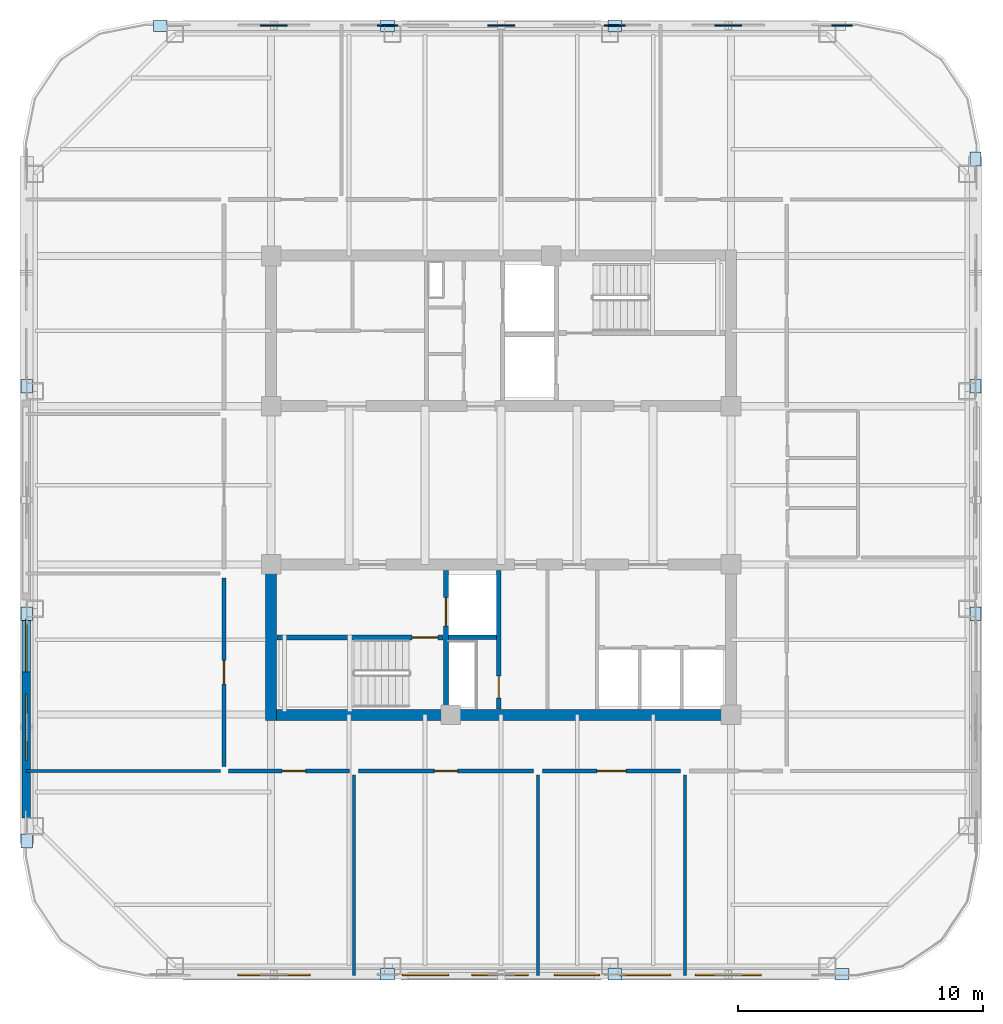
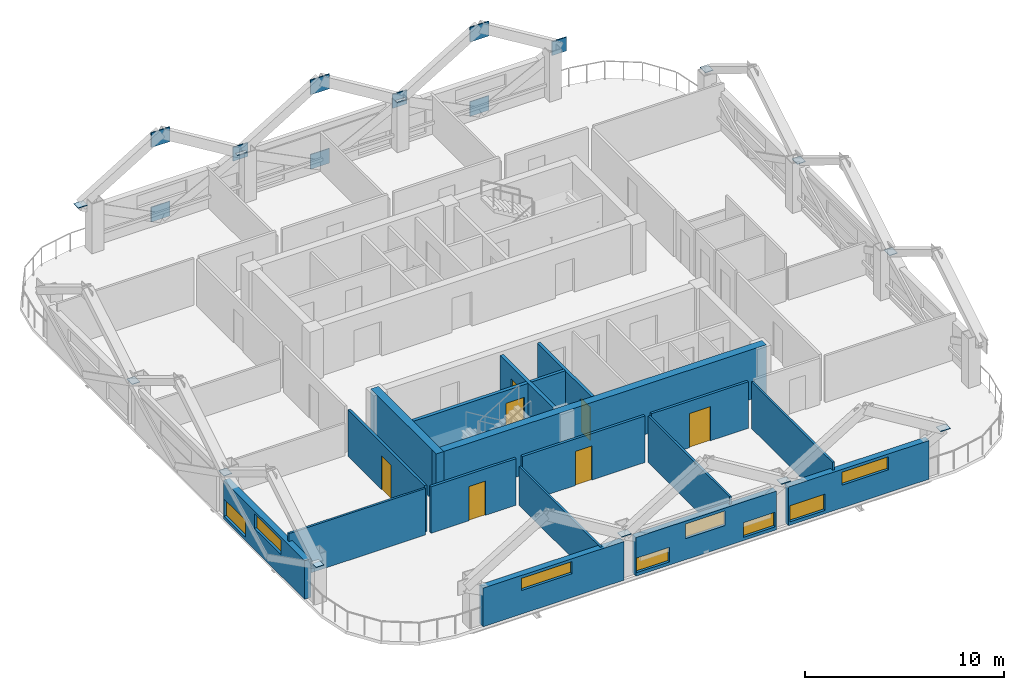
# One storey, part 3 of 9: 21 plates, 18 walls, 8 windows, 7 doors, 15 openings.
"""IFC4 building model written with IfcOpenShell, lengths in metres."""

from ifc_helpers import new_model, si_unit, direction, frame, frame_2d, origin, origin_2d, place, context, subcontext, project, spatial, rectangle, extrude, material, layer, layer_set, type_object, element, fill, save


model = new_model("IFC4")

# Units and contexts
model_context = context("Model", 3, precision=1e-05, world=origin(), true_north=direction((0.0, 1.0)))
body_context = subcontext(model_context, "Body", "Model", "MODEL_VIEW")
ifc_project = project(units=[si_unit("LENGTHUNIT", "METRE"), si_unit("AREAUNIT", "SQUARE_METRE"), si_unit("VOLUMEUNIT", "CUBIC_METRE"), si_unit("PLANEANGLEUNIT", "RADIAN"), si_unit("MASSUNIT", "GRAM", prefix="KILO")], contexts=[model_context])

# Site, building, storey
site_placement = place(None, origin())
site = spatial("IfcSite", under=ifc_project, at=site_placement, CompositionType="ELEMENT")
building_placement = place(site_placement, origin())
building = spatial("IfcBuilding", under=site, at=building_placement, Name="Qhalaya Broadcast Tower", CompositionType="ELEMENT")
storey_placement = place(building_placement, frame((0.0, 0.0, 217.800048828125)))
storey = spatial("IfcBuildingStorey", under=building, at=storey_placement, Name="L64", CompositionType="ELEMENT", Elevation=217.800048828125)

# Plates
ifc_material_1 = material(Name="Structural Steel ASTM A572 Grade 50", Category="steel")
ifc_layer_1 = layer(ifc_material_1, 0.054931640625, Name="Structural Steel ASTM A572 Grade 50")
ifc_layer_set_1 = layer_set([ifc_layer_1], Name="Structural Steel ASTM A572 Grade 50")
plate_type_1 = type_object("IfcPlateType", Name="Exoskeleton Diamond Node Gusset Plate NP-01", PredefinedType="USERDEFINED", material=ifc_layer_set_1)
for number, where, z_axis, x_axis, name in (
    (1, (9.2666015625, 19.340087890625, 0.2099609375), (0.0, 0.0, 1.0), (1.0, 0.0, 0.0), "Exoskeleton Diamond Node B5-N1-BOT"),
    (2, (9.2666015625, 19.340087890625, 4.780029296875), (0.0, 0.0, 1.0), (1.0, 0.0, 0.0), "Exoskeleton Diamond Node B5-N1-TOP"),
):
    element("IfcPlate", number, at=place(storey_placement, frame(where, z_axis=z_axis, x_axis=x_axis)), inside=storey, type_object=plate_type_1, Name=name, ObjectType="GUSSET_PLATE", PredefinedType="USERDEFINED", context=body_context, shape_type="SweptSolid", body=[
        extrude(rectangle(XDim=1.10009765625, YDim=0.054931640625, at=origin_2d()), origin(), (0.0, 0.0, 1.0), 0.89990234375),
    ])
plate_1_placement = place(storey_placement, frame((13.89990234375, 19.340087890625, 2.27978515625), z_axis=(0.0, 0.0, 1.0), x_axis=(1.0, 0.0, 0.0)))
element("IfcPlate", 3, at=plate_1_placement, inside=storey, type_object=plate_type_1, Name="Exoskeleton Diamond Node B5-N1-MDL", ObjectType="GUSSET_PLATE", PredefinedType="USERDEFINED", context=body_context, shape_type="SweptSolid", body=[
    extrude(rectangle(XDim=0.85009765625, YDim=0.054931640625, at=origin_2d()), origin(), (0.0, 0.0, 1.0), 0.85009765625),
])
for number, where, z_axis, x_axis, name in (
    (4, (0.0, 19.340087890625, 0.2099609375), (0.0, 0.0, 1.0), (1.0, 0.0, 0.0), "Exoskeleton Diamond Node B5-N2-BOT"),
    (5, (0.0, 19.340087890625, 4.780029296875), (0.0, 0.0, 1.0), (1.0, 0.0, 0.0), "Exoskeleton Diamond Node B5-N2-TOP"),
):
    element("IfcPlate", number, at=place(storey_placement, frame(where, z_axis=z_axis, x_axis=x_axis)), inside=storey, type_object=plate_type_1, Name=name, ObjectType="GUSSET_PLATE", PredefinedType="USERDEFINED", context=body_context, shape_type="SweptSolid", body=[
        extrude(rectangle(XDim=1.10009765625, YDim=0.054931640625, at=origin_2d()), origin(), (0.0, 0.0, 1.0), 0.89990234375),
    ])
plate_2_placement = place(storey_placement, frame((4.63330078125, 19.340087890625, 2.27978515625), z_axis=(0.0, 0.0, 1.0), x_axis=(1.0, 0.0, 0.0)))
element("IfcPlate", 6, at=plate_2_placement, inside=storey, type_object=plate_type_1, Name="Exoskeleton Diamond Node B5-N2-MDL", ObjectType="GUSSET_PLATE", PredefinedType="USERDEFINED", context=body_context, shape_type="SweptSolid", body=[
    extrude(rectangle(XDim=0.85009765625, YDim=0.054931640625, at=origin_2d()), origin(), (0.0, 0.0, 1.0), 0.85009765625),
])
for number, where, z_axis, x_axis, name in (
    (7, (-9.2666015625, 19.340087890625, 0.2099609375), (0.0, 0.0, 1.0), (1.0, 0.0, 0.0), "Exoskeleton Diamond Node B5-N3-BOT"),
    (8, (-9.2666015625, 19.340087890625, 4.780029296875), (0.0, 0.0, 1.0), (1.0, 0.0, 0.0), "Exoskeleton Diamond Node B5-N3-TOP"),
):
    element("IfcPlate", number, at=place(storey_placement, frame(where, z_axis=z_axis, x_axis=x_axis)), inside=storey, type_object=plate_type_1, Name=name, ObjectType="GUSSET_PLATE", PredefinedType="USERDEFINED", context=body_context, shape_type="SweptSolid", body=[
        extrude(rectangle(XDim=1.10009765625, YDim=0.054931640625, at=origin_2d()), origin(), (0.0, 0.0, 1.0), 0.89990234375),
    ])
plate_3_placement = place(storey_placement, frame((-4.63330078125, 19.340087890625, 2.27978515625), z_axis=(0.0, 0.0, 1.0), x_axis=(1.0, 0.0, 0.0)))
element("IfcPlate", 9, at=plate_3_placement, inside=storey, type_object=plate_type_1, Name="Exoskeleton Diamond Node B5-N3-MDL", ObjectType="GUSSET_PLATE", PredefinedType="USERDEFINED", context=body_context, shape_type="SweptSolid", body=[
    extrude(rectangle(XDim=0.85009765625, YDim=0.054931640625, at=origin_2d()), origin(), (0.0, 0.0, 1.0), 0.85009765625),
])
ifc_layer_2 = layer(ifc_material_1, 0.4599609375, Name="Structural Steel ASTM A572 Grade 50")
ifc_layer_set_2 = layer_set([ifc_layer_2], Name="Structural Steel ASTM A572 Grade 50")
plate_type_2 = type_object("IfcPlateType", Name="Hollow Box Member End Cap Plate CP-01", PredefinedType="USERDEFINED", material=ifc_layer_set_2)
for number, where, z_axis, x_axis, name in (
    (10, (-4.63330078125, -19.340087890625, 2.68896484375), (0.0, 0.0, 1.0), (1.0, 0.0, 0.0), "Exoskeleton Hollow End Cap B5-S1"),
    (11, (4.63330078125, -19.340087890625, 2.68896484375), (0.0, 0.0, 1.0), (1.0, 0.0, 0.0), "Exoskeleton Hollow End Cap B5-S2"),
    (12, (13.89990234375, -19.340087890625, 2.68896484375), (0.0, 0.0, 1.0), (1.0, 0.0, 0.0), "Exoskeleton Hollow End Cap B5-S3"),
    (13, (19.340087890625, -4.63330078125, 2.68896484375), (0.0, 0.0, 1.0), (0.0, 1.0, 0.0), "Exoskeleton Hollow End Cap B5-E1"),
    (14, (19.340087890625, 4.63330078125, 2.68896484375), (0.0, 0.0, 1.0), (0.0, 1.0, 0.0), "Exoskeleton Hollow End Cap B5-E2"),
    (15, (19.340087890625, 13.89990234375, 2.68896484375), (0.0, 0.0, 1.0), (0.0, 1.0, 0.0), "Exoskeleton Hollow End Cap B5-E3"),
    (16, (4.63330078125, 19.340087890625, 2.68896484375), (0.0, 0.0, 1.0), (1.0, 0.0, 0.0), "Exoskeleton Hollow End Cap B5-N1"),
    (17, (-4.63330078125, 19.340087890625, 2.68896484375), (0.0, 0.0, 1.0), (1.0, 0.0, 0.0), "Exoskeleton Hollow End Cap B5-N2"),
    (18, (-13.89990234375, 19.340087890625, 2.68896484375), (0.0, 0.0, 1.0), (1.0, 0.0, 0.0), "Exoskeleton Hollow End Cap B5-N3"),
    (19, (-19.340087890625, 4.63330078125, 2.68896484375), (0.0, 0.0, 1.0), (0.0, 1.0, 0.0), "Exoskeleton Hollow End Cap B5-W1"),
    (20, (-19.340087890625, -4.63330078125, 2.68896484375), (0.0, 0.0, 1.0), (0.0, 1.0, 0.0), "Exoskeleton Hollow End Cap B5-W2"),
    (21, (-19.340087890625, -13.89990234375, 2.68896484375), (0.0, 0.0, 1.0), (0.0, 1.0, 0.0), "Exoskeleton Hollow End Cap B5-W3"),
):
    element("IfcPlate", number, at=place(storey_placement, frame(where, z_axis=z_axis, x_axis=x_axis)), inside=storey, type_object=plate_type_2, Name=name, ObjectType="COVER_PLATE", PredefinedType="USERDEFINED", context=body_context, shape_type="SweptSolid", body=[
        extrude(rectangle(XDim=0.56005859375, YDim=0.4599609375, at=origin_2d()), origin(), (0.0, 0.0, 1.0), 0.031982421875),
    ])

# Wall, opening, door
ifc_material_2 = material(Name="Gypsum Acoustic Partition")
ifc_layer_3 = layer(ifc_material_2, 0.14990234375, Name="Gypsum Acoustic Partition")
ifc_layer_set_3 = layer_set([ifc_layer_3], Name="Gypsum Acoustic Partition")
wall_type_1 = type_object("IfcWallType", Name="Corridor & Tenancy Acoustic Partition 150", PredefinedType="PARTITIONING", material=ifc_layer_set_3)
wall_1_placement = place(storey_placement, frame((-11.1201171875, -11.050048828125, 0.0), z_axis=(0.0, 0.0, 1.0), x_axis=(1.0, 0.0, 0.0)))
wall_1 = element("IfcWall", 22, at=wall_1_placement, inside=storey, type_object=wall_type_1, Name="L64 Partition Wall W-COR-05", PredefinedType="PARTITIONING", context=body_context, shape_type="SweptSolid", body=[
    extrude(rectangle(XDim=4.940185546875, YDim=0.14990234375, at=frame_2d((2.47021484375, 0.0))), origin(), (0.0, 0.0, 1.0), 2.85986328125),
])
opening_1_placement = place(wall_1_placement, frame((2.195068359375, 0.0, 0.0)))
opening_1 = element("IfcOpeningElement", 23, at=opening_1_placement, cuts=wall_1, Name="Opening D10", PredefinedType="OPENING", context=body_context, shape_type="SweptSolid", body=[
    extrude(rectangle(XDim=0.949951171875, YDim=2.10009765625, at=frame_2d((0.47509765625, 1.050048828125))), frame((0.0, 0.0869140625, 0.0), z_axis=(0.0, -1.0, 0.0), x_axis=(1.0, 0.0, 0.0)), (0.0, 0.0, 1.0), 0.173828125),
])
ifc_material_3 = material(Name="Timber Veneer Acoustic Door", Category="wood")
door_type_1 = type_object("IfcDoorType", Name="Cellular Office & Edit Booth Door D10", OperationType="NOTDEFINED", PredefinedType="DOOR", material=ifc_material_3)
door_1_placement = place(opening_1_placement, origin())
door_1 = element("IfcDoor", 24, at=door_1_placement, inside=storey, type_object=door_type_1, Name="L64 Door D-RM05", OperationType="SINGLE_SWING_RIGHT", OverallHeight=2.10009765625, OverallWidth=0.949951171875, PredefinedType="DOOR", context=body_context, shape_type="SweptSolid", body=[
    extrude(rectangle(XDim=0.949951171875, YDim=2.10009765625, at=frame_2d((0.47509765625, 1.050048828125))), frame((0.0, 0.02490234375, 0.0), z_axis=(0.0, -1.0, 0.0), x_axis=(1.0, 0.0, 0.0)), (0.0, 0.0, 1.0), 0.050048828125),
])
fill(opening_1, door_1)

wall_2_placement = place(storey_placement, frame((-5.820068359375, -11.050048828125, 0.0), z_axis=(0.0, 0.0, 1.0), x_axis=(1.0, 0.0, 0.0)))
wall_2 = element("IfcWall", 25, at=wall_2_placement, inside=storey, type_object=wall_type_1, Name="L64 Partition Wall W-COR-06", PredefinedType="PARTITIONING", context=body_context, shape_type="SweptSolid", body=[
    extrude(rectangle(XDim=7.14013671875, YDim=0.14990234375, at=frame_2d((3.570068359375, 0.0))), origin(), (0.0, 0.0, 1.0), 2.85986328125),
])
opening_2_placement = place(wall_2_placement, frame((3.094970703125, 0.0, 0.0)))
opening_2 = element("IfcOpeningElement", 26, at=opening_2_placement, cuts=wall_2, Name="Opening D10", PredefinedType="OPENING", context=body_context, shape_type="SweptSolid", body=[
    extrude(rectangle(XDim=0.949951171875, YDim=2.10009765625, at=frame_2d((0.47509765625, 1.050048828125))), frame((0.0, 0.0869140625, 0.0), z_axis=(0.0, -1.0, 0.0), x_axis=(1.0, 0.0, 0.0)), (0.0, 0.0, 1.0), 0.173828125),
])
door_2_placement = place(opening_2_placement, origin())
door_2 = element("IfcDoor", 27, at=door_2_placement, inside=storey, type_object=door_type_1, Name="L64 Door D-RM06", OperationType="SINGLE_SWING_LEFT", OverallHeight=2.10009765625, OverallWidth=0.949951171875, PredefinedType="DOOR", context=body_context, shape_type="SweptSolid", body=[
    extrude(rectangle(XDim=0.949951171875, YDim=2.10009765625, at=frame_2d((0.47509765625, 1.050048828125))), frame((0.0, 0.02490234375, 0.0), z_axis=(0.0, -1.0, 0.0), x_axis=(1.0, 0.0, 0.0)), (0.0, 0.0, 1.0), 0.050048828125),
])
fill(opening_2, door_2)

wall_3_placement = place(storey_placement, frame((1.679931640625, -11.050048828125, 0.0), z_axis=(0.0, 0.0, 1.0), x_axis=(1.0, 0.0, 0.0)))
wall_3 = element("IfcWall", 28, at=wall_3_placement, inside=storey, type_object=wall_type_1, Name="L64 Partition Wall W-COR-07", PredefinedType="PARTITIONING", context=body_context, shape_type="SweptSolid", body=[
    extrude(rectangle(XDim=5.64013671875, YDim=0.14990234375, at=frame_2d((2.820068359375, 0.0))), origin(), (0.0, 0.0, 1.0), 2.85986328125),
])
opening_3_placement = place(wall_3_placement, frame((2.219970703125, 0.0, 0.0)))
opening_3 = element("IfcOpeningElement", 29, at=opening_3_placement, cuts=wall_3, Name="Opening D11", PredefinedType="OPENING", context=body_context, shape_type="SweptSolid", body=[
    extrude(rectangle(XDim=1.199951171875, YDim=2.10009765625, at=frame_2d((0.60009765625, 1.050048828125))), frame((0.0, 0.0869140625, 0.0), z_axis=(0.0, -1.0, 0.0), x_axis=(1.0, 0.0, 0.0)), (0.0, 0.0, 1.0), 0.173828125),
])
ifc_material_4 = material(Name="Anodised Aluminium Glazed Door", Category="aluminium")
door_type_2 = type_object("IfcDoorType", Name="Conference, Boardroom & Studio Control Door D11", OperationType="NOTDEFINED", PredefinedType="DOOR", material=ifc_material_4)
door_3_placement = place(opening_3_placement, origin())
door_3 = element("IfcDoor", 30, at=door_3_placement, inside=storey, type_object=door_type_2, Name="L64 Door D-RM07", OperationType="SINGLE_SWING_RIGHT", OverallHeight=2.10009765625, OverallWidth=1.199951171875, PredefinedType="DOOR", context=body_context, shape_type="SweptSolid", body=[
    extrude(rectangle(XDim=1.199951171875, YDim=2.10009765625, at=frame_2d((0.60009765625, 1.050048828125))), frame((0.0, 0.02490234375, 0.0), z_axis=(0.0, -1.0, 0.0), x_axis=(1.0, 0.0, 0.0)), (0.0, 0.0, 1.0), 0.050048828125),
])
fill(opening_3, door_3)

wall_4_placement = place(storey_placement, frame((-11.300048828125, -10.8701171875, 0.0), z_axis=(0.0, 0.0, 1.0), x_axis=(0.0, 1.0, 0.0)))
wall_4 = element("IfcWall", 31, at=wall_4_placement, inside=storey, type_object=wall_type_1, Name="L64 Partition Wall W-COR-09", PredefinedType="PARTITIONING", context=body_context, shape_type="SweptSolid", body=[
    extrude(rectangle(XDim=7.690185546875, YDim=0.14990234375, at=frame_2d((3.84521484375, 0.0))), origin(), (0.0, 0.0, 1.0), 2.85986328125),
])
opening_4_placement = place(wall_4_placement, frame((3.3701171875, 0.0, 0.0)))
opening_4 = element("IfcOpeningElement", 32, at=opening_4_placement, cuts=wall_4, Name="Opening D10", PredefinedType="OPENING", context=body_context, shape_type="SweptSolid", body=[
    extrude(rectangle(XDim=0.949951171875, YDim=2.10009765625, at=frame_2d((0.47509765625, 1.050048828125))), frame((0.0, 0.0869140625, 0.0), z_axis=(0.0, -1.0, 0.0), x_axis=(1.0, 0.0, 0.0)), (0.0, 0.0, 1.0), 0.173828125),
])
door_4_placement = place(opening_4_placement, origin())
door_4 = element("IfcDoor", 33, at=door_4_placement, inside=storey, type_object=door_type_1, Name="L64 Door D-RM09", OperationType="SINGLE_SWING_RIGHT", OverallHeight=2.10009765625, OverallWidth=0.949951171875, PredefinedType="DOOR", context=body_context, shape_type="SweptSolid", body=[
    extrude(rectangle(XDim=0.949951171875, YDim=2.10009765625, at=frame_2d((0.47509765625, 1.050048828125))), frame((0.0, 0.02490234375, 0.0), z_axis=(0.0, -1.0, 0.0), x_axis=(1.0, 0.0, 0.0)), (0.0, 0.0, 1.0), 0.050048828125),
])
fill(opening_4, door_4)

# Wall, openings, windows
ifc_material_5 = material(Name="Precast Concrete C40/50", Category="concrete")
ifc_layer_4 = layer(ifc_material_5, 0.360107421875, Name="Precast Concrete C40/50")
ifc_layer_set_4 = layer_set([ifc_layer_4], Name="Precast Concrete C40/50")
wall_type_2 = type_object("IfcWallType", Name="Insulated Precast Terracotta Exterior Wall 360", PredefinedType="SOLIDWALL", material=ifc_layer_set_4)
wall_5_placement = place(storey_placement, frame((12.9619140625, -19.360107421875, 0.0), z_axis=(0.0, 0.0, 1.0), x_axis=(-1.0, 0.0, 0.0)))
wall_5 = element("IfcWall", 34, at=wall_5_placement, inside=storey, type_object=wall_type_2, Name="L64 Exoskeleton Diagrid Infill Wall S1", PredefinedType="SOLIDWALL", context=body_context, shape_type="SweptSolid", body=[
    extrude(rectangle(XDim=8.1787109375, YDim=0.360107421875, at=frame_2d((4.08935546875, 0.0))), origin(), (0.0, 0.0, 1.0), 2.3740234375),
])
opening_5_placement = place(wall_5_placement, frame((2.35009765625, 0.0, 1.39990234375)))
opening_5 = element("IfcOpeningElement", 35, at=opening_5_placement, cuts=wall_5, Name="Opening W13", PredefinedType="OPENING", context=body_context, shape_type="SweptSolid", body=[
    extrude(rectangle(XDim=2.699951171875, YDim=0.800048828125, at=frame_2d((1.35009765625, 0.39990234375))), frame((0.0, 0.192138671875, 0.0), z_axis=(0.0, -1.0, 0.0), x_axis=(1.0, 0.0, 0.0)), (0.0, 0.0, 1.0), 0.384033203125),
])
opening_6_placement = place(wall_5_placement, frame((6.050048828125, 0.0, 0.199951171875)))
opening_6 = element("IfcOpeningElement", 36, at=opening_6_placement, cuts=wall_5, Name="Opening W13", PredefinedType="OPENING", context=body_context, shape_type="SweptSolid", body=[
    extrude(rectangle(XDim=2.050048828125, YDim=1.0, at=frame_2d((1.02490234375, 0.5))), frame((0.0, 0.192138671875, 0.0), z_axis=(0.0, -1.0, 0.0), x_axis=(1.0, 0.0, 0.0)), (0.0, 0.0, 1.0), 0.384033203125),
])
ifc_material_6 = material(Name="Solar-Control Low-E Triple Glazing", Category="glass")
window_type = type_object("IfcWindowType", Name="Upper-Block Diagrid Infill Window W13", PartitioningType="SINGLE_PANEL", PredefinedType="WINDOW", material=ifc_material_6)
window_1_placement = place(opening_5_placement, origin())
window_1 = element("IfcWindow", 37, at=window_1_placement, inside=storey, type_object=window_type, Name="L64 Diagrid Infill Window W13-S1", OverallHeight=0.800048828125, OverallWidth=2.699951171875, PartitioningType="SINGLE_PANEL", PredefinedType="WINDOW", context=body_context, shape_type="SweptSolid", body=[
    extrude(rectangle(XDim=2.699951171875, YDim=0.800048828125, at=frame_2d((1.35009765625, 0.39990234375))), frame((0.0, 0.030029296875, 0.0), z_axis=(0.0, -1.0, 0.0), x_axis=(1.0, 0.0, 0.0)), (0.0, 0.0, 1.0), 0.06005859375),
])
fill(opening_5, window_1)
window_2_placement = place(opening_6_placement, origin())
window_2 = element("IfcWindow", 38, at=window_2_placement, inside=storey, type_object=window_type, Name="L64 Diagrid Infill Window W13-S2", OverallHeight=1.0, OverallWidth=2.050048828125, PartitioningType="SINGLE_PANEL", PredefinedType="WINDOW", context=body_context, shape_type="SweptSolid", body=[
    extrude(rectangle(XDim=2.050048828125, YDim=1.0, at=frame_2d((1.02490234375, 0.5))), frame((0.0, 0.030029296875, 0.0), z_axis=(0.0, -1.0, 0.0), x_axis=(1.0, 0.0, 0.0)), (0.0, 0.0, 1.0), 0.06005859375),
])
fill(opening_6, window_2)

wall_6_placement = place(storey_placement, frame((4.083251953125, -19.360107421875, 0.0), z_axis=(0.0, 0.0, 1.0), x_axis=(-1.0, 0.0, 0.0)))
wall_6 = element("IfcWall", 39, at=wall_6_placement, inside=storey, type_object=wall_type_2, Name="L64 Exoskeleton Diagrid Infill Wall S2", PredefinedType="SOLIDWALL", context=body_context, shape_type="SweptSolid", body=[
    extrude(rectangle(XDim=8.16650390625, YDim=0.360107421875, at=frame_2d((4.083251953125, 0.0))), origin(), (0.0, 0.0, 1.0), 2.3740234375),
])
opening_7_placement = place(wall_6_placement, frame((0.071044921875, 0.0, 0.199951171875)))
opening_7 = element("IfcOpeningElement", 40, at=opening_7_placement, cuts=wall_6, Name="Opening W13", PredefinedType="OPENING", context=body_context, shape_type="SweptSolid", body=[
    extrude(rectangle(XDim=1.85009765625, YDim=0.89990234375, at=frame_2d((0.925048828125, 0.449951171875))), frame((0.0, 0.192138671875, 0.0), z_axis=(0.0, -1.0, 0.0), x_axis=(1.0, 0.0, 0.0)), (0.0, 0.0, 1.0), 0.384033203125),
])
opening_8_placement = place(wall_6_placement, frame((2.970947265625, 0.0, 1.300048828125)))
opening_8 = element("IfcOpeningElement", 41, at=opening_8_placement, cuts=wall_6, Name="Opening W13", PredefinedType="OPENING", context=body_context, shape_type="SweptSolid", body=[
    extrude(rectangle(XDim=2.300048828125, YDim=0.89990234375, at=frame_2d((1.14990234375, 0.449951171875))), frame((0.0, 0.192138671875, 0.0), z_axis=(0.0, -1.0, 0.0), x_axis=(1.0, 0.0, 0.0)), (0.0, 0.0, 1.0), 0.384033203125),
])
opening_9_placement = place(wall_6_placement, frame((6.220947265625, 0.0, 0.199951171875)))
opening_9 = element("IfcOpeningElement", 42, at=opening_9_placement, cuts=wall_6, Name="Opening W13", PredefinedType="OPENING", context=body_context, shape_type="SweptSolid", body=[
    extrude(rectangle(XDim=1.89990234375, YDim=0.89990234375, at=frame_2d((0.949951171875, 0.449951171875))), frame((0.0, 0.192138671875, 0.0), z_axis=(0.0, -1.0, 0.0), x_axis=(1.0, 0.0, 0.0)), (0.0, 0.0, 1.0), 0.384033203125),
])
window_3_placement = place(opening_7_placement, origin())
window_3 = element("IfcWindow", 43, at=window_3_placement, inside=storey, type_object=window_type, Name="L64 Diagrid Infill Window W13-S3", OverallHeight=0.89990234375, OverallWidth=1.85009765625, PartitioningType="SINGLE_PANEL", PredefinedType="WINDOW", context=body_context, shape_type="SweptSolid", body=[
    extrude(rectangle(XDim=1.85009765625, YDim=0.89990234375, at=frame_2d((0.925048828125, 0.449951171875))), frame((0.0, 0.030029296875, 0.0), z_axis=(0.0, -1.0, 0.0), x_axis=(1.0, 0.0, 0.0)), (0.0, 0.0, 1.0), 0.06005859375),
])
fill(opening_7, window_3)
window_4_placement = place(opening_8_placement, origin())
window_4 = element("IfcWindow", 44, at=window_4_placement, inside=storey, type_object=window_type, Name="L64 Diagrid Infill Window W13-S4", OverallHeight=0.89990234375, OverallWidth=2.300048828125, PartitioningType="SINGLE_PANEL", PredefinedType="WINDOW", context=body_context, shape_type="SweptSolid", body=[
    extrude(rectangle(XDim=2.300048828125, YDim=0.89990234375, at=frame_2d((1.14990234375, 0.449951171875))), frame((0.0, 0.030029296875, 0.0), z_axis=(0.0, -1.0, 0.0), x_axis=(1.0, 0.0, 0.0)), (0.0, 0.0, 1.0), 0.06005859375),
])
fill(opening_8, window_4)
window_5_placement = place(opening_9_placement, origin())
window_5 = element("IfcWindow", 45, at=window_5_placement, inside=storey, type_object=window_type, Name="L64 Diagrid Infill Window W13-S5", OverallHeight=0.89990234375, OverallWidth=1.89990234375, PartitioningType="SINGLE_PANEL", PredefinedType="WINDOW", context=body_context, shape_type="SweptSolid", body=[
    extrude(rectangle(XDim=1.89990234375, YDim=0.89990234375, at=frame_2d((0.949951171875, 0.449951171875))), frame((0.0, 0.030029296875, 0.0), z_axis=(0.0, -1.0, 0.0), x_axis=(1.0, 0.0, 0.0)), (0.0, 0.0, 1.0), 0.06005859375),
])
fill(opening_9, window_5)

# Wall, opening, window
wall_7_placement = place(storey_placement, frame((-4.783203125, -19.360107421875, 0.0), z_axis=(0.0, 0.0, 1.0), x_axis=(-1.0, 0.0, 0.0)))
wall_7 = element("IfcWall", 46, at=wall_7_placement, inside=storey, type_object=wall_type_2, Name="L64 Exoskeleton Diagrid Infill Wall S3", PredefinedType="SOLIDWALL", context=body_context, shape_type="SweptSolid", body=[
    extrude(rectangle(XDim=8.1787109375, YDim=0.360107421875, at=frame_2d((4.08935546875, 0.0))), origin(), (0.0, 0.0, 1.0), 2.3740234375),
])
opening_10_placement = place(wall_7_placement, frame((3.0048828125, 0.0, 1.449951171875)))
opening_10 = element("IfcOpeningElement", 47, at=opening_10_placement, cuts=wall_7, Name="Opening W13", PredefinedType="OPENING", context=body_context, shape_type="SweptSolid", body=[
    extrude(rectangle(XDim=2.949951171875, YDim=0.75, at=frame_2d((1.47509765625, 0.375))), frame((0.0, 0.192138671875, 0.0), z_axis=(0.0, -1.0, 0.0), x_axis=(1.0, 0.0, 0.0)), (0.0, 0.0, 1.0), 0.384033203125),
])
window_6_placement = place(opening_10_placement, origin())
window_6 = element("IfcWindow", 48, at=window_6_placement, inside=storey, type_object=window_type, Name="L64 Diagrid Infill Window W13-S6", OverallHeight=0.75, OverallWidth=2.949951171875, PartitioningType="SINGLE_PANEL", PredefinedType="WINDOW", context=body_context, shape_type="SweptSolid", body=[
    extrude(rectangle(XDim=2.949951171875, YDim=0.75, at=frame_2d((1.47509765625, 0.375))), frame((0.0, 0.030029296875, 0.0), z_axis=(0.0, -1.0, 0.0), x_axis=(1.0, 0.0, 0.0)), (0.0, 0.0, 1.0), 0.06005859375),
])
fill(opening_10, window_6)

# Wall, openings, windows
wall_8_placement = place(storey_placement, frame((-19.360107421875, -12.9619140625, 0.0), z_axis=(0.0, 0.0, 1.0), x_axis=(0.0, 1.0, 0.0)))
wall_8 = element("IfcWall", 49, at=wall_8_placement, inside=storey, type_object=wall_type_2, Name="L64 Exoskeleton Diagrid Infill Wall W1", PredefinedType="SOLIDWALL", context=body_context, shape_type="SweptSolid", body=[
    extrude(rectangle(XDim=8.1787109375, YDim=0.360107421875, at=frame_2d((4.08935546875, 0.0))), origin(), (0.0, 0.0, 1.0), 2.3740234375),
])
opening_11_placement = place(wall_8_placement, frame((2.35009765625, 0.0, 1.300048828125)))
opening_11 = element("IfcOpeningElement", 50, at=opening_11_placement, cuts=wall_8, Name="Opening W13", PredefinedType="OPENING", context=body_context, shape_type="SweptSolid", body=[
    extrude(rectangle(XDim=2.699951171875, YDim=0.89990234375, at=frame_2d((1.35009765625, 0.449951171875))), frame((0.0, 0.192138671875, 0.0), z_axis=(0.0, -1.0, 0.0), x_axis=(1.0, 0.0, 0.0)), (0.0, 0.0, 1.0), 0.384033203125),
])
opening_12_placement = place(wall_8_placement, frame((5.949951171875, 0.0, 0.199951171875)))
opening_12 = element("IfcOpeningElement", 51, at=opening_12_placement, cuts=wall_8, Name="Opening W13", PredefinedType="OPENING", context=body_context, shape_type="SweptSolid", body=[
    extrude(rectangle(XDim=2.14990234375, YDim=1.050048828125, at=frame_2d((1.074951171875, 0.52490234375))), frame((0.0, 0.192138671875, 0.0), z_axis=(0.0, -1.0, 0.0), x_axis=(1.0, 0.0, 0.0)), (0.0, 0.0, 1.0), 0.384033203125),
])
window_7_placement = place(opening_11_placement, origin())
window_7 = element("IfcWindow", 52, at=window_7_placement, inside=storey, type_object=window_type, Name="L64 Diagrid Infill Window W13-W1", OverallHeight=0.89990234375, OverallWidth=2.699951171875, PartitioningType="SINGLE_PANEL", PredefinedType="WINDOW", context=body_context, shape_type="SweptSolid", body=[
    extrude(rectangle(XDim=2.699951171875, YDim=0.89990234375, at=frame_2d((1.35009765625, 0.449951171875))), frame((0.0, 0.030029296875, 0.0), z_axis=(0.0, -1.0, 0.0), x_axis=(1.0, 0.0, 0.0)), (0.0, 0.0, 1.0), 0.06005859375),
])
fill(opening_11, window_7)
window_8_placement = place(opening_12_placement, origin())
window_8 = element("IfcWindow", 53, at=window_8_placement, inside=storey, type_object=window_type, Name="L64 Diagrid Infill Window W13-W2", OverallHeight=1.050048828125, OverallWidth=2.14990234375, PartitioningType="SINGLE_PANEL", PredefinedType="WINDOW", context=body_context, shape_type="SweptSolid", body=[
    extrude(rectangle(XDim=2.14990234375, YDim=1.050048828125, at=frame_2d((1.074951171875, 0.52490234375))), frame((0.0, 0.030029296875, 0.0), z_axis=(0.0, -1.0, 0.0), x_axis=(1.0, 0.0, 0.0)), (0.0, 0.0, 1.0), 0.06005859375),
])
fill(opening_12, window_8)

# Wall, opening, door
ifc_material_7 = material(Name="Concrete C50/60", Category="concrete")
ifc_layer_5 = layer(ifc_material_7, 0.199951171875, Name="Concrete C50/60")
ifc_layer_set_5 = layer_set([ifc_layer_5], Name="Concrete C50/60")
wall_type_3 = type_object("IfcWallType", Name="Load-Bearing Stair Shaft Wall 200", PredefinedType="SHEAR", material=ifc_layer_set_5)
wall_9_placement = place(storey_placement, frame((-9.1298828125, -5.60498046875, 0.0), z_axis=(0.0, 0.0, 1.0), x_axis=(1.0, 0.0, 0.0)))
wall_9 = element("IfcWall", 54, at=wall_9_placement, inside=storey, type_object=wall_type_3, Name="L64 Stair Core Shear Wall SCW-ST2", PredefinedType="SHEAR", context=body_context, shape_type="SweptSolid", body=[
    extrude(rectangle(XDim=6.769775390625, YDim=0.199951171875, at=frame_2d((3.384765625, 0.0))), origin(), (0.0, 0.0, 1.0), 2.85986328125),
])
opening_13_placement = place(wall_9_placement, frame((5.5, 0.0, 0.0)))
opening_13 = element("IfcOpeningElement", 55, at=opening_13_placement, cuts=wall_9, Name="Opening D03", PredefinedType="OPENING", context=body_context, shape_type="SweptSolid", body=[
    extrude(rectangle(XDim=1.050048828125, YDim=2.080078125, at=frame_2d((0.52490234375, 1.0400390625))), frame((0.0, 0.112060546875, 0.0), z_axis=(0.0, -1.0, 0.0), x_axis=(1.0, 0.0, 0.0)), (0.0, 0.0, 1.0), 0.223876953125),
])
ifc_material_8 = material(Name="Fire-Rated Steel Door", Category="steel")
door_type_3 = type_object("IfcDoorType", Name="Core Stair Protected Fire Door D03", OperationType="NOTDEFINED", PredefinedType="DOOR", material=ifc_material_8)
door_5_placement = place(opening_13_placement, origin())
door_5 = element("IfcDoor", 56, at=door_5_placement, inside=storey, type_object=door_type_3, Name="L64 Door D-SST2", OperationType="SINGLE_SWING_RIGHT", OverallHeight=2.080078125, OverallWidth=1.050048828125, PredefinedType="DOOR", context=body_context, shape_type="SweptSolid", body=[
    extrude(rectangle(XDim=1.050048828125, YDim=2.080078125, at=frame_2d((0.52490234375, 1.0400390625))), frame((0.0, 0.02490234375, 0.0), z_axis=(0.0, -1.0, 0.0), x_axis=(1.0, 0.0, 0.0)), (0.0, 0.0, 1.0), 0.050048828125),
])
fill(opening_13, door_5)

wall_10_placement = place(storey_placement, frame((-2.25, -8.530029296875, 0.0), z_axis=(0.0, 0.0, 1.0), x_axis=(0.0, 1.0, 0.0)))
wall_10 = element("IfcWall", 57, at=wall_10_placement, inside=storey, type_object=wall_type_3, Name="L64 Stair Core Shear Wall SCW-FF", PredefinedType="SHEAR", context=body_context, shape_type="SweptSolid", body=[
    extrude(rectangle(XDim=5.659912109375, YDim=0.199951171875, at=frame_2d((2.830078125, 0.0))), origin(), (0.0, 0.0, 1.0), 2.85986328125),
])
opening_14_placement = place(wall_10_placement, frame((3.39990234375, 0.0, 0.0)))
opening_14 = element("IfcOpeningElement", 58, at=opening_14_placement, cuts=wall_10, Name="Opening LD2", PredefinedType="OPENING", context=body_context, shape_type="SweptSolid", body=[
    extrude(rectangle(XDim=1.14990234375, YDim=2.080078125, at=frame_2d((0.574951171875, 1.0400390625))), frame((0.0, 0.112060546875, 0.0), z_axis=(0.0, -1.0, 0.0), x_axis=(1.0, 0.0, 0.0)), (0.0, 0.0, 1.0), 0.223876953125),
])
ifc_material_9 = material(Name="Brushed Stainless Steel Lift Door", Category="steel")
door_type_4 = type_object("IfcDoorType", Name="Firefighting Lift Sliding Landing Door LD2", OperationType="DOUBLE_DOOR_SLIDING", PredefinedType="DOOR", material=ifc_material_9)
door_6_placement = place(opening_14_placement, origin())
door_6 = element("IfcDoor", 59, at=door_6_placement, inside=storey, type_object=door_type_4, Name="L64 Door LD-FF2", OperationType="DOUBLE_DOOR_SLIDING", OverallHeight=2.080078125, OverallWidth=1.14990234375, PredefinedType="DOOR", context=body_context, shape_type="SweptSolid", body=[
    extrude(rectangle(XDim=1.14990234375, YDim=2.080078125, at=frame_2d((0.574951171875, 1.0400390625))), frame((0.0, 0.02490234375, 0.0), z_axis=(0.0, -1.0, 0.0), x_axis=(1.0, 0.0, 0.0)), (0.0, 0.0, 1.0), 0.050048828125),
])
fill(opening_14, door_6)

# Walls
ifc_layer_6 = layer(ifc_material_2, 0.1201171875, Name="Gypsum Acoustic Partition")
ifc_layer_set_6 = layer_set([ifc_layer_6], Name="Gypsum Acoustic Partition")
wall_type_4 = type_object("IfcWallType", Name="Office, Booth & Sanitary Partition 120", PredefinedType="PARTITIONING", material=ifc_layer_set_6)
wall_11_placement = place(storey_placement, frame((-19.3798828125, -11.050048828125, 0.0), z_axis=(0.0, 0.0, 1.0), x_axis=(1.0, 0.0, 0.0)))
element("IfcWall", 60, at=wall_11_placement, inside=storey, type_object=wall_type_4, Name="L64 Partition Wall W-BNDW2", PredefinedType="PARTITIONING", context=body_context, shape_type="SweptSolid", body=[
    extrude(rectangle(XDim=7.93994140625, YDim=0.1201171875, at=frame_2d((3.969970703125, 0.0))), origin(), (0.0, 0.0, 1.0), 2.85986328125),
])
wall_12_placement = place(storey_placement, frame((-6.0, -19.3798828125, 0.0), z_axis=(0.0, 0.0, 1.0), x_axis=(0.0, 1.0, 0.0)))
element("IfcWall", 61, at=wall_12_placement, inside=storey, type_object=wall_type_4, Name="L64 Partition Wall W-DIVS1", PredefinedType="PARTITIONING", context=body_context, shape_type="SweptSolid", body=[
    extrude(rectangle(XDim=8.169921875, YDim=0.1201171875, at=frame_2d((4.0849609375, 0.0))), origin(), (0.0, 0.0, 1.0), 2.380859375),
])
for number, where, z_axis, x_axis, name in (
    (62, (1.5, -19.3798828125, 0.0), (0.0, 0.0, 1.0), (0.0, 1.0, 0.0), "L64 Partition Wall W-DIVS2"),
    (63, (7.5, -19.3798828125, 0.0), (0.0, 0.0, 1.0), (0.0, 1.0, 0.0), "L64 Partition Wall W-DIVS3"),
):
    element("IfcWall", number, at=place(storey_placement, frame(where, z_axis=z_axis, x_axis=x_axis)), inside=storey, type_object=wall_type_4, Name=name, PredefinedType="PARTITIONING", context=body_context, shape_type="SweptSolid", body=[
        extrude(rectangle(XDim=8.169921875, YDim=0.1201171875, at=frame_2d((4.0849609375, 0.0))), origin(), (0.0, 0.0, 1.0), 2.85986328125),
    ])

# Wall, opening, door
ifc_layer_7 = layer(ifc_material_2, 0.175048828125, Name="Gypsum Acoustic Partition")
ifc_layer_set_7 = layer_set([ifc_layer_7], Name="Gypsum Acoustic Partition")
wall_type_5 = type_object("IfcWallType", Name="Shaft & Riser Fire Partition 175", PredefinedType="PARTITIONING", material=ifc_layer_set_7)
wall_13_placement = place(storey_placement, frame((-0.10009765625, -8.530029296875, 0.0), z_axis=(0.0, 0.0, 1.0), x_axis=(0.0, 1.0, 0.0)))
wall_13 = element("IfcWall", 64, at=wall_13_placement, inside=storey, type_object=wall_type_5, Name="L64 Partition Wall SCW-FFE", PredefinedType="PARTITIONING", context=body_context, shape_type="SweptSolid", body=[
    extrude(rectangle(XDim=5.659912109375, YDim=0.175048828125, at=frame_2d((2.830078125, 0.0))), origin(), (0.0, 0.0, 1.0), 2.85986328125),
])
opening_15_placement = place(wall_13_placement, frame((0.449951171875, 0.0, 0.0)))
opening_15 = element("IfcOpeningElement", 65, at=opening_15_placement, cuts=wall_13, Name="Opening D06", PredefinedType="OPENING", context=body_context, shape_type="SweptSolid", body=[
    extrude(rectangle(XDim=0.89990234375, YDim=2.050048828125, at=frame_2d((0.449951171875, 1.02490234375))), frame((0.0, 0.099609375, 0.0), z_axis=(0.0, -1.0, 0.0), x_axis=(1.0, 0.0, 0.0)), (0.0, 0.0, 1.0), 0.198974609375),
])
door_type_5 = type_object("IfcDoorType", Name="Riser & Electrical Shaft Access Door D06", OperationType="NOTDEFINED", PredefinedType="DOOR", material=ifc_material_8)
door_7_placement = place(opening_15_placement, origin())
door_7 = element("IfcDoor", 66, at=door_7_placement, inside=storey, type_object=door_type_5, Name="L64 Riser Shaft Access Door D-SRSR", OperationType="SINGLE_SWING_LEFT", OverallHeight=2.050048828125, OverallWidth=0.89990234375, PredefinedType="DOOR", context=body_context, shape_type="SweptSolid", body=[
    extrude(rectangle(XDim=0.89990234375, YDim=2.050048828125, at=frame_2d((0.449951171875, 1.02490234375))), frame((0.0, 0.02490234375, 0.0), z_axis=(0.0, -1.0, 0.0), x_axis=(1.0, 0.0, 0.0)), (0.0, 0.0, 1.0), 0.050048828125),
])
fill(opening_15, door_7)

# Walls
wall_14_placement = place(storey_placement, frame((-2.14990234375, -5.60009765625, 0.0), z_axis=(0.0, 0.0, 1.0), x_axis=(1.0, 0.0, 0.0)))
element("IfcWall", 67, at=wall_14_placement, inside=storey, type_object=wall_type_5, Name="L64 Partition Wall SCW-FFM", PredefinedType="PARTITIONING", context=body_context, shape_type="SweptSolid", body=[
    extrude(rectangle(XDim=1.969970703125, YDim=0.175048828125, at=frame_2d((0.98486328125, 0.0))), origin(), (0.0, 0.0, 1.0), 2.85986328125),
])
ifc_layer_8 = layer(ifc_material_7, 0.449951171875, Name="Concrete C50/60")
ifc_layer_set_8 = layer_set([ifc_layer_8], Name="Concrete C50/60")
wall_type_6 = type_object("IfcWallType", Name="Upper Split-Core Shear Wall 450", PredefinedType="SHEAR", material=ifc_layer_set_8)
wall_15_placement = place(storey_placement, frame((-9.60009765625, -8.77490234375, 0.0), z_axis=(0.0, 0.0, 1.0), x_axis=(1.0, 0.0, 0.0)))
element("IfcWall", 68, at=wall_15_placement, inside=storey, type_object=wall_type_6, Name="L64 Split-Core Shear Wall CW-SS", PredefinedType="SHEAR", context=body_context, shape_type="SweptSolid", body=[
    extrude(rectangle(XDim=19.2001953125, YDim=0.449951171875, at=frame_2d((9.60009765625, 0.0))), origin(), (0.0, 0.0, 1.0), 3.050048828125),
])
wall_16_placement = place(storey_placement, frame((-9.375, -9.0, 0.0), z_axis=(0.0, 0.0, 1.0), x_axis=(0.0, 1.0, 0.0)))
element("IfcWall", 69, at=wall_16_placement, inside=storey, type_object=wall_type_6, Name="L64 Split-Core Shear Wall CW-SW", PredefinedType="SHEAR", context=body_context, shape_type="SweptSolid", body=[
    extrude(rectangle(XDim=6.60009765625, YDim=0.449951171875, at=frame_2d((3.300048828125, 0.0))), origin(), (0.0, 0.0, 1.0), 3.050048828125),
])

save(model, "model.ifc")
